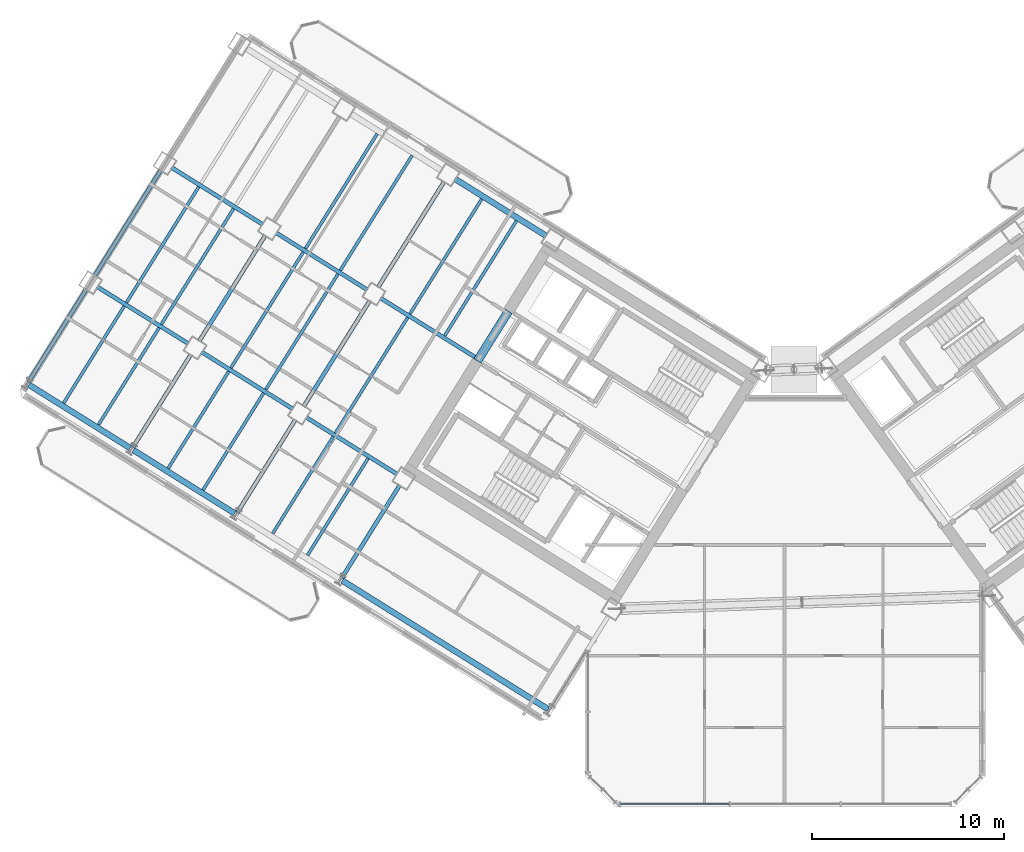
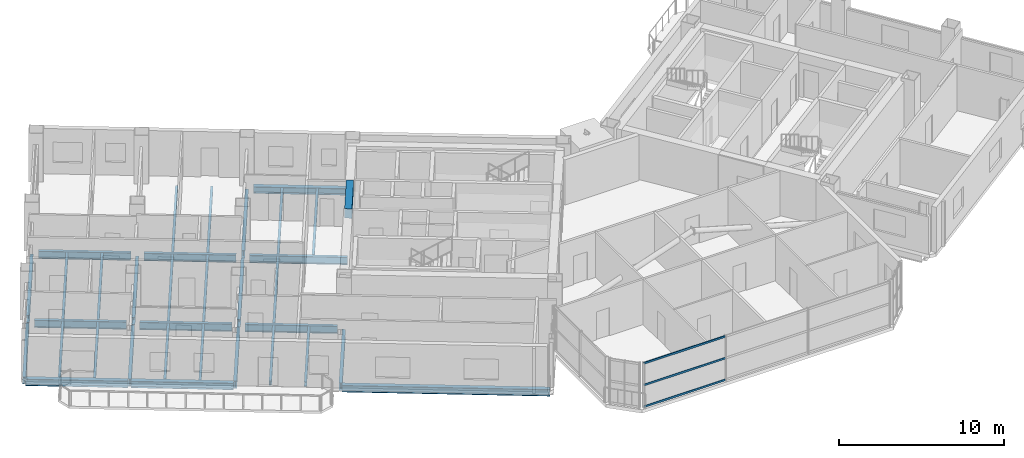
# One storey, part 7 of 29: 34 beams, 3 members, 1 element without a shape of its own.
"""IFC4 building model written with IfcOpenShell, lengths in metres."""

from ifc_helpers import new_model, si_unit, direction, frame, origin, origin_2d, place, context, subcontext, project, spatial, rectangle, hollow_rectangle, i_section, extrude, source, transform, mapped, material, material_profile, profile_set, type_object, element, aggregate, save


model = new_model("IFC4")

# Units and contexts
model_context = context("Model", 3, precision=1e-05, world=origin(), true_north=direction((0.0, 1.0)))
body_context = subcontext(model_context, "Body", "Model", "MODEL_VIEW")
ifc_project = project(units=[si_unit("LENGTHUNIT", "METRE"), si_unit("AREAUNIT", "SQUARE_METRE"), si_unit("VOLUMEUNIT", "CUBIC_METRE"), si_unit("PLANEANGLEUNIT", "RADIAN"), si_unit("MASSUNIT", "GRAM", prefix="KILO")], contexts=[model_context])

# Site, building, storey
site_placement = place(None, origin())
site = spatial("IfcSite", under=ifc_project, at=site_placement, CompositionType="ELEMENT")
building_placement = place(site_placement, origin())
building = spatial("IfcBuilding", under=site, at=building_placement, Name="Tlacorven Tower", CompositionType="ELEMENT")
storey_placement = place(building_placement, frame((0.0, 0.0, 151.5)))
storey = spatial("IfcBuildingStorey", under=building, at=storey_placement, Name="L38", CompositionType="ELEMENT", Elevation=151.5)

# Beams
ifc_material_1 = material(Name="Concrete C60/75", Category="concrete")
ifc_material_profile_1 = material_profile(ifc_material_1, rectangle(XDim=0.449951171875, YDim=0.699951171875, at=origin_2d()), Name="RC 450X700")
ifc_profile_set_1 = profile_set([ifc_material_profile_1], Name="Concrete C60/75")
beam_type_1 = type_object("IfcBeamType", Name="BM-LNT-700", PredefinedType="LINTEL", material=ifc_profile_set_1)
shared_shape_1 = source(origin(), body_context, "Body", "SweptSolid", [
    extrude(rectangle(XDim=0.449951171875, YDim=0.699951171875, at=origin_2d()), origin(), (0.0, 0.0, 1.0), 3.0498046875),
])
beam_1_placement = place(storey_placement, frame((27.622802734375, 27.562255859375, 3.0), z_axis=(-0.529926983584, -0.848043272522, 0.0), x_axis=(0.848043272522, -0.529926983584, 0.0)))
element("IfcBeam", 1, at=beam_1_placement, inside=storey, type_object=beam_type_1, Name="L38 W core coupling lintel beam E2", PredefinedType="LINTEL", context=body_context, shape_type="MappedRepresentation", body=[
    mapped(shared_shape_1, transform((0.0, 0.0, 0.0), scale=1.0)),
])
ifc_material_2 = material(Name="Steel S355J2", Category="steel")
ifc_material_profile_2 = material_profile(ifc_material_2, i_section(OverallWidth=0.300048828125, OverallDepth=0.489990234375, WebThickness=0.011962890625, FlangeThickness=0.02294921875, at=origin_2d()), Name="HEA 500")
ifc_profile_set_2 = profile_set([ifc_material_profile_2], Name="Steel S355J2")
beam_type_2 = type_object("IfcBeamType", Name="BM-SPN-500", PredefinedType="SPANDREL", material=ifc_profile_set_2)
shared_shape_2 = source(origin(), body_context, "Body", "SweptSolid", [
    extrude(i_section(OverallWidth=0.300048828125, OverallDepth=0.489990234375, WebThickness=0.011962890625, FlangeThickness=0.02294921875, at=origin_2d()), origin(), (0.0, 0.0, 1.0), 12.599853515625),
])
beam_2_placement = place(storey_placement, frame((29.67578125, 6.882080078125, -0.4951171875), z_axis=(-0.848045108756, 0.529924045043, 0.0), x_axis=(-0.529924045043, -0.848045108756, 0.0)))
element("IfcBeam", 2, at=beam_2_placement, inside=storey, type_object=beam_type_2, Name="L38 beam BM-L38-WL4-1", PredefinedType="SPANDREL", context=body_context, shape_type="MappedRepresentation", body=[
    mapped(shared_shape_2, transform((0.0, 0.0, 0.0), scale=1.0)),
])
shared_shape_3 = source(origin(), body_context, "Body", "SweptSolid", [
    extrude(i_section(OverallWidth=0.300048828125, OverallDepth=0.489990234375, WebThickness=0.011962890625, FlangeThickness=0.02294921875, at=origin_2d()), origin(), (0.0, 0.0, 1.0), 6.199951171875),
])
for number, where, z_axis, x_axis, name in (
    (3, (13.393310546875, 17.056396484375, -0.4951171875), (-0.848033697614, 0.529942306022, 0.0), (-0.529942306022, -0.848033697614, 0.0), "L38 beam BM-L38-WL4-4"),
    (4, (7.9658203125, 20.447998046875, -0.4951171875), (-0.848051394107, 0.529913986372, 0.0), (-0.529913986372, -0.848051394107, 0.0), "L38 beam BM-L38-WL4-5"),
):
    element("IfcBeam", number, at=place(storey_placement, frame(where, z_axis=z_axis, x_axis=x_axis)), inside=storey, type_object=beam_type_2, Name=name, PredefinedType="SPANDREL", context=body_context, shape_type="MappedRepresentation", body=[
        mapped(shared_shape_3, transform((0.0, 0.0, 0.0), scale=1.0)),
    ])
ifc_material_profile_3 = material_profile(ifc_material_2, i_section(OverallWidth=0.2099609375, OverallDepth=0.550048828125, WebThickness=0.010986328125, FlangeThickness=0.01708984375, at=origin_2d()), Name="IPE 550")
ifc_profile_set_3 = profile_set([ifc_material_profile_3], Name="Steel S355J2")
beam_type_3 = type_object("IfcBeamType", Name="BM-TWR-550", PredefinedType="BEAM", material=ifc_profile_set_3)
shared_shape_4 = source(origin(), body_context, "Body", "SweptSolid", [
    extrude(i_section(OverallWidth=0.2099609375, OverallDepth=0.550048828125, WebThickness=0.010986328125, FlangeThickness=0.01708984375, at=origin_2d()), origin(), (0.0, 0.0, 1.0), 5.599853515625),
])
for number, where, z_axis, x_axis, name in (
    (5, (20.292724609375, 28.6640625, -0.52490234375), (-0.848047285686, 0.529920561254, 0.0), (-0.529920561254, -0.848047285686, 0.0), "L38 beam BM-L38-WL2-4"),
    (6, (21.851806640625, 19.081787109375, -0.52490234375), (-0.848047285686, 0.529920561254, 0.0), (-0.529920561254, -0.848047285686, 0.0), "L38 beam BM-L38-WL3-3"),
    (7, (16.42431640625, 22.473388671875, -0.52490234375), (-0.848047285686, 0.529920561254, 0.0), (-0.529920561254, -0.848047285686, 0.0), "L38 beam BM-L38-WL3-4"),
    (8, (10.996826171875, 25.86474609375, -0.52490234375), (-0.848047285686, 0.529920561254, 0.0), (-0.529920561254, -0.848047285686, 0.0), "L38 beam BM-L38-WL3-5"),
):
    element("IfcBeam", number, at=place(storey_placement, frame(where, z_axis=z_axis, x_axis=x_axis)), inside=storey, type_object=beam_type_3, Name=name, PredefinedType="BEAM", context=body_context, shape_type="MappedRepresentation", body=[
        mapped(shared_shape_4, transform((0.0, 0.0, 0.0), scale=1.0)),
    ])
shared_shape_5 = source(origin(), body_context, "Body", "SweptSolid", [
    extrude(i_section(OverallWidth=0.2099609375, OverallDepth=0.550048828125, WebThickness=0.010986328125, FlangeThickness=0.01708984375, at=origin_2d()), origin(), (0.0, 0.0, 1.0), 5.960205078125),
])
beam_3_placement = place(storey_placement, frame((26.025634765625, 25.081787109375, -0.52490234375), z_axis=(-0.848042024898, 0.529928980153, 0.0), x_axis=(-0.529928980153, -0.848042024898, 0.0)))
element("IfcBeam", 9, at=beam_3_placement, inside=storey, type_object=beam_type_3, Name="L38 beam BM-L38-WL2-3", PredefinedType="BEAM", context=body_context, shape_type="MappedRepresentation", body=[
    mapped(shared_shape_5, transform((0.0, 0.0, 0.0), scale=1.0)),
])
shared_shape_6 = source(origin(), body_context, "Body", "SweptSolid", [
    extrude(i_section(OverallWidth=0.2099609375, OverallDepth=0.550048828125, WebThickness=0.010986328125, FlangeThickness=0.01708984375, at=origin_2d()), origin(), (0.0, 0.0, 1.0), 5.60009765625),
])
beam_4_placement = place(storey_placement, frame((14.865234375, 32.055419921875, -0.52490234375), z_axis=(-0.848027693204, 0.529951914384, 0.0), x_axis=(-0.529951914384, -0.848027693204, 0.0)))
element("IfcBeam", 10, at=beam_4_placement, inside=storey, type_object=beam_type_3, Name="L38 beam BM-L38-WL2-5", PredefinedType="BEAM", context=body_context, shape_type="MappedRepresentation", body=[
    mapped(shared_shape_6, transform((0.0, 0.0, 0.0), scale=1.0)),
])
shared_shape_7 = source(origin(), body_context, "Body", "SweptSolid", [
    extrude(i_section(OverallWidth=0.300048828125, OverallDepth=0.489990234375, WebThickness=0.011962890625, FlangeThickness=0.02294921875, at=origin_2d()), origin(), (0.0, 0.0, 1.0), 5.599853515625),
])
beam_5_placement = place(storey_placement, frame((29.588623046875, 31.46337890625, -0.4951171875), z_axis=(-0.848047285686, 0.529920561254, 0.0), x_axis=(-0.529920561254, -0.848047285686, 0.0)))
element("IfcBeam", 11, at=beam_5_placement, inside=storey, type_object=beam_type_2, Name="L38 beam BM-L38-WL1-3", PredefinedType="SPANDREL", context=body_context, shape_type="MappedRepresentation", body=[
    mapped(shared_shape_7, transform((0.0, 0.0, 0.0), scale=1.0)),
])
shared_shape_8 = source(origin(), body_context, "Body", "SweptSolid", [
    extrude(i_section(OverallWidth=0.2099609375, OverallDepth=0.550048828125, WebThickness=0.010986328125, FlangeThickness=0.01708984375, at=origin_2d()), origin(), (0.0, 0.0, 1.0), 5.7001953125),
])
for number, where, z_axis, x_axis, name in (
    (12, (16.5517578125, 21.922119140625, -0.52490234375), (-0.529937340199, -0.848036800771, 0.0), (0.848036800771, -0.529937340199, 0.0), "L38 beam BM-L38-WT4-3"),
    (13, (11.1240234375, 25.313720703125, -0.52490234375), (-0.529906537151, -0.848056048787, 0.0), (0.848056048787, -0.529906537151, 0.0), "L38 beam BM-L38-WT5-3"),
    (14, (5.696533203125, 28.705078125, -0.52490234375), (-0.529906537151, -0.848056048787, 0.0), (0.848056048787, -0.529906537151, 0.0), "L38 beam BM-L38-WT6-3"),
):
    element("IfcBeam", number, at=place(storey_placement, frame(where, z_axis=z_axis, x_axis=x_axis)), inside=storey, type_object=beam_type_3, Name=name, PredefinedType="BEAM", context=body_context, shape_type="MappedRepresentation", body=[
        mapped(shared_shape_8, transform((0.0, 0.0, 0.0), scale=1.0)),
    ])
shared_shape_9 = source(origin(), body_context, "Body", "SweptSolid", [
    extrude(i_section(OverallWidth=0.2099609375, OverallDepth=0.550048828125, WebThickness=0.010986328125, FlangeThickness=0.01708984375, at=origin_2d()), origin(), (0.0, 0.0, 1.0), 5.699951171875),
])
beam_6_placement = place(storey_placement, frame((21.979248046875, 18.530517578125, -0.52490234375), z_axis=(-0.5299565889, -0.848024771974, 0.0), x_axis=(0.848024771974, -0.5299565889, 0.0)))
element("IfcBeam", 15, at=beam_6_placement, inside=storey, type_object=beam_type_3, Name="L38 beam BM-L38-WT3-2", PredefinedType="BEAM", context=body_context, shape_type="MappedRepresentation", body=[
    mapped(shared_shape_9, transform((0.0, 0.0, 0.0), scale=1.0)),
])
shared_shape_10 = source(origin(), body_context, "Body", "SweptSolid", [
    extrude(i_section(OverallWidth=0.2099609375, OverallDepth=0.550048828125, WebThickness=0.010986328125, FlangeThickness=0.01708984375, at=origin_2d()), origin(), (0.0, 0.0, 1.0), 6.500244140625),
])
beam_7_placement = place(storey_placement, frame((24.28857421875, 34.3037109375, -0.52490234375), z_axis=(-0.529921287515, -0.848046831866, 0.0), x_axis=(0.848046831866, -0.529921287515, 0.0)))
element("IfcBeam", 16, at=beam_7_placement, inside=storey, type_object=beam_type_3, Name="L38 beam BM-L38-WT4-1", PredefinedType="BEAM", context=body_context, shape_type="MappedRepresentation", body=[
    mapped(shared_shape_10, transform((0.0, 0.0, 0.0), scale=1.0)),
])
shared_shape_11 = source(origin(), body_context, "Body", "SweptSolid", [
    extrude(i_section(OverallWidth=0.2099609375, OverallDepth=0.550048828125, WebThickness=0.010986328125, FlangeThickness=0.01708984375, at=origin_2d()), origin(), (0.0, 0.0, 1.0), 6.5),
])
for number, where, z_axis, x_axis, name in (
    (17, (20.420166015625, 28.11279296875, -0.52490234375), (-0.529938166933, -0.848036284146, 0.0), (0.848036284146, -0.529938166933, 0.0), "L38 beam BM-L38-WT4-2"),
    (18, (14.992431640625, 31.50439453125, -0.52490234375), (-0.529894274829, -0.848063710757, 0.0), (0.848063710757, -0.529894274829, 0.0), "L38 beam BM-L38-WT5-2"),
):
    element("IfcBeam", number, at=place(storey_placement, frame(where, z_axis=z_axis, x_axis=x_axis)), inside=storey, type_object=beam_type_3, Name=name, PredefinedType="BEAM", context=body_context, shape_type="MappedRepresentation", body=[
        mapped(shared_shape_11, transform((0.0, 0.0, 0.0), scale=1.0)),
    ])
shared_shape_12 = source(origin(), body_context, "Body", "SweptSolid", [
    extrude(i_section(OverallWidth=0.2099609375, OverallDepth=0.550048828125, WebThickness=0.010986328125, FlangeThickness=0.01708984375, at=origin_2d()), origin(), (0.0, 0.0, 1.0), 6.499755859375),
])
beam_8_placement = place(storey_placement, frame((9.56494140625, 34.895751953125, -0.52490234375), z_axis=(-0.529911154058, -0.848053163902, 0.0), x_axis=(0.848053163902, -0.529911154058, 0.0)))
element("IfcBeam", 19, at=beam_8_placement, inside=storey, type_object=beam_type_3, Name="L38 beam BM-L38-WT6-2", PredefinedType="BEAM", context=body_context, shape_type="MappedRepresentation", body=[
    mapped(shared_shape_12, transform((0.0, 0.0, 0.0), scale=1.0)),
])
ifc_material_profile_4 = material_profile(ifc_material_2, i_section(OverallWidth=0.159912109375, OverallDepth=0.330078125, WebThickness=0.007568359375, FlangeThickness=0.011474609375, at=origin_2d()), Name="IPE 330")
ifc_profile_set_4 = profile_set([ifc_material_profile_4], Name="Steel S355J2")
beam_type_4 = type_object("IfcBeamType", Name="BM-JST-330", PredefinedType="JOIST", material=ifc_profile_set_4)
shared_shape_13 = source(origin(), body_context, "Body", "SweptSolid", [
    extrude(i_section(OverallWidth=0.159912109375, OverallDepth=0.330078125, WebThickness=0.007568359375, FlangeThickness=0.011474609375, at=origin_2d()), origin(), (0.0, 0.0, 1.0), 5.93505859375),
])
for number, where, z_axis, x_axis, name in (
    (20, (20.32373046875, 19.906982421875, -0.4150390625), (-0.529910194899, -0.848053763238, 0.0), (0.848053763238, -0.529910194899, 0.0), "L38 beam BM-L38-WJ3-3-1"),
    (21, (18.514404296875, 21.03759765625, -0.4150390625), (-0.529910194899, -0.848053763238, 0.0), (0.848053763238, -0.529910194899, 0.0), "L38 beam BM-L38-WJ3-3-2"),
    (22, (14.896240234375, 23.298583984375, -0.4150390625), (-0.529910194899, -0.848053763238, 0.0), (0.848053763238, -0.529910194899, 0.0), "L38 beam BM-L38-WJ4-3-1"),
    (23, (9.46875, 26.68994140625, -0.4150390625), (-0.529939778535, -0.848035277053, 0.0), (0.848035277053, -0.529939778535, 0.0), "L38 beam BM-L38-WJ5-3-1"),
    (24, (7.659423828125, 27.820556640625, -0.4150390625), (-0.529910194899, -0.848053763238, 0.0), (0.848053763238, -0.529910194899, 0.0), "L38 beam BM-L38-WJ5-3-2"),
):
    element("IfcBeam", number, at=place(storey_placement, frame(where, z_axis=z_axis, x_axis=x_axis)), inside=storey, type_object=beam_type_4, Name=name, PredefinedType="JOIST", context=body_context, shape_type="MappedRepresentation", body=[
        mapped(shared_shape_13, transform((0.0, 0.0, 0.0), scale=1.0)),
    ])
shared_shape_14 = source(origin(), body_context, "Body", "SweptSolid", [
    extrude(i_section(OverallWidth=0.159912109375, OverallDepth=0.330078125, WebThickness=0.007568359375, FlangeThickness=0.011474609375, at=origin_2d()), origin(), (0.0, 0.0, 1.0), 7.080078125),
])
beam_9_placement = place(storey_placement, frame((18.7646484375, 29.4892578125, -0.4150390625), z_axis=(-0.529933847046, -0.848038983629, 0.0), x_axis=(0.848038983629, -0.529933847046, 0.0)))
element("IfcBeam", 25, at=beam_9_placement, inside=storey, type_object=beam_type_4, Name="L38 beam BM-L38-WJ4-2-1", PredefinedType="JOIST", context=body_context, shape_type="MappedRepresentation", body=[
    mapped(shared_shape_14, transform((0.0, 0.0, 0.0), scale=1.0)),
])
shared_shape_15 = source(origin(), body_context, "Body", "SweptSolid", [
    extrude(i_section(OverallWidth=0.159912109375, OverallDepth=0.330078125, WebThickness=0.007568359375, FlangeThickness=0.011474609375, at=origin_2d()), origin(), (0.0, 0.0, 1.0), 7.03515625),
])
for number, where, z_axis, x_axis, name in (
    (26, (28.03662109375, 32.25048828125, -0.4150390625), (-0.529920952588, -0.848047041153, 0.0), (0.848047041153, -0.529920952588, 0.0), "L38 beam BM-L38-WJ3-1-1"),
    (27, (26.2275390625, 33.380859375, -0.4150390625), (-0.529920952588, -0.848047041153, 0.0), (0.848047041153, -0.529920952588, 0.0), "L38 beam BM-L38-WJ3-1-2"),
    (28, (22.609130859375, 35.641845703125, -0.4150390625), (-0.529920952588, -0.848047041153, 0.0), (0.848047041153, -0.529920952588, 0.0), "L38 beam BM-L38-WJ4-1-1"),
    (29, (20.800048828125, 36.7724609375, -0.4150390625), (-0.529920952588, -0.848047041153, 0.0), (0.848047041153, -0.529920952588, 0.0), "L38 beam BM-L38-WJ4-1-2"),
):
    element("IfcBeam", number, at=place(storey_placement, frame(where, z_axis=z_axis, x_axis=x_axis)), inside=storey, type_object=beam_type_4, Name=name, PredefinedType="JOIST", context=body_context, shape_type="MappedRepresentation", body=[
        mapped(shared_shape_15, transform((0.0, 0.0, 0.0), scale=1.0)),
    ])
shared_shape_16 = source(origin(), body_context, "Body", "SweptSolid", [
    extrude(i_section(OverallWidth=0.159912109375, OverallDepth=0.330078125, WebThickness=0.007568359375, FlangeThickness=0.011474609375, at=origin_2d()), origin(), (0.0, 0.0, 1.0), 5.934814453125),
])
beam_10_placement = place(storey_placement, frame((13.0869140625, 24.428955078125, -0.4150390625), z_axis=(-0.52992868149, -0.848042211529, 0.0), x_axis=(0.848042211529, -0.52992868149, 0.0)))
element("IfcBeam", 30, at=beam_10_placement, inside=storey, type_object=beam_type_4, Name="L38 beam BM-L38-WJ4-3-2", PredefinedType="JOIST", context=body_context, shape_type="MappedRepresentation", body=[
    mapped(shared_shape_16, transform((0.0, 0.0, 0.0), scale=1.0)),
])
shared_shape_17 = source(origin(), body_context, "Body", "SweptSolid", [
    extrude(i_section(OverallWidth=0.159912109375, OverallDepth=0.330078125, WebThickness=0.007568359375, FlangeThickness=0.011474609375, at=origin_2d()), origin(), (0.0, 0.0, 1.0), 7.079833984375),
])
for number, where, z_axis, x_axis, name in (
    (31, (22.3828125, 27.228271484375, -0.4150390625), (-0.529909047265, -0.848054480341, 0.0), (0.848054480341, -0.529909047265, 0.0), "L38 beam BM-L38-WJ3-2-2"),
    (32, (16.955322265625, 30.619873046875, -0.4150390625), (-0.529909047265, -0.848054480341, 0.0), (0.848054480341, -0.529909047265, 0.0), "L38 beam BM-L38-WJ4-2-2"),
    (33, (11.52783203125, 34.01123046875, -0.4150390625), (-0.529909047265, -0.848054480341, 0.0), (0.848054480341, -0.529909047265, 0.0), "L38 beam BM-L38-WJ5-2-2"),
):
    element("IfcBeam", number, at=place(storey_placement, frame(where, z_axis=z_axis, x_axis=x_axis)), inside=storey, type_object=beam_type_4, Name=name, PredefinedType="JOIST", context=body_context, shape_type="MappedRepresentation", body=[
        mapped(shared_shape_17, transform((0.0, 0.0, 0.0), scale=1.0)),
    ])
shared_shape_18 = source(origin(), body_context, "Body", "SweptSolid", [
    extrude(i_section(OverallWidth=0.159912109375, OverallDepth=0.330078125, WebThickness=0.007568359375, FlangeThickness=0.011474609375, at=origin_2d()), origin(), (0.0, 0.0, 1.0), 7.080322265625),
])
beam_11_placement = place(storey_placement, frame((13.337158203125, 32.880859375, -0.4150390625), z_axis=(-0.52991835062, -0.848048667045, 0.0), x_axis=(0.848048667045, -0.52991835062, 0.0)))
element("IfcBeam", 34, at=beam_11_placement, inside=storey, type_object=beam_type_4, Name="L38 beam BM-L38-WJ5-2-1", PredefinedType="JOIST", context=body_context, shape_type="MappedRepresentation", body=[
    mapped(shared_shape_18, transform((0.0, 0.0, 0.0), scale=1.0)),
])

# Curtain wall, members
ifc_material_3 = material(Name="Dark solar low-E double glazing in aluminium frame", Category="aluminium")
curtain_wall_type = type_object("IfcCurtainWallType", Name="CW-TWR-MID", PredefinedType="USERDEFINED", material=ifc_material_3)
curtain_wall_placement = place(storey_placement, origin())
curtain_wall = element("IfcCurtainWall", 35, at=curtain_wall_placement, inside=storey, type_object=curtain_wall_type, Name="L38 CW-TWR-MID Curtain Wall 168", ObjectType="UNITISED CURTAIN WALL", PredefinedType="USERDEFINED")
ifc_material_4 = material(Name="Aluminium 6063-T6 anodised", Category="aluminium")
ifc_material_profile_5 = material_profile(ifc_material_4, hollow_rectangle(XDim=0.06005859375, YDim=0.139892578125, WallThickness=0.00390625, at=origin_2d()), Name="ALU TRANSOM 60X140")
ifc_profile_set_5 = profile_set([ifc_material_profile_5], Name="Aluminium 6063-T6 anodised")
member_type = type_object("IfcMemberType", Name="CWT-02", PredefinedType="USERDEFINED", material=ifc_profile_set_5)
shared_shape_19 = source(origin(), body_context, "Body", "SweptSolid", [
    extrude(hollow_rectangle(XDim=0.06005859375, YDim=0.139892578125, WallThickness=0.00390625, at=origin_2d()), origin(), (0.0, 0.0, 1.0), 5.682373046875),
])
member_1_placement = place(storey_placement, frame((39.1015625, 1.9599609375, 0.070068359375), z_axis=(-1.0, 0.0, 0.0), x_axis=(0.0, -1.0, 0.0)))
member_1 = element("IfcMember", 36, at=member_1_placement, type_object=member_type, Name="CW-L38-168 Transom 7", ObjectType="TRANSOM", PredefinedType="USERDEFINED", context=body_context, shape_type="MappedRepresentation", body=[
    mapped(shared_shape_19, transform((0.0, 0.0, 0.0), scale=1.0)),
])
member_2_placement = place(storey_placement, frame((39.1015625, 1.9599609375, 1.675048828125), z_axis=(-1.0, 0.0, 0.0), x_axis=(0.0, -1.0, 0.0)))
member_2 = element("IfcMember", 37, at=member_2_placement, type_object=member_type, Name="CW-L38-168 Transom 8", ObjectType="TRANSOM", PredefinedType="USERDEFINED", context=body_context, shape_type="MappedRepresentation", body=[
    mapped(shared_shape_19, transform((0.0, 0.0, 0.0), scale=1.0)),
])
member_3_placement = place(storey_placement, frame((39.1015625, 1.9599609375, 3.280029296875), z_axis=(-1.0, 0.0, 0.0), x_axis=(0.0, -1.0, 0.0)))
member_3 = element("IfcMember", 38, at=member_3_placement, type_object=member_type, Name="CW-L38-168 Transom 9", ObjectType="TRANSOM", PredefinedType="USERDEFINED", context=body_context, shape_type="MappedRepresentation", body=[
    mapped(shared_shape_19, transform((0.0, 0.0, 0.0), scale=1.0)),
])
aggregate(curtain_wall, [member_1, member_2, member_3])

save(model, "model.ifc")
